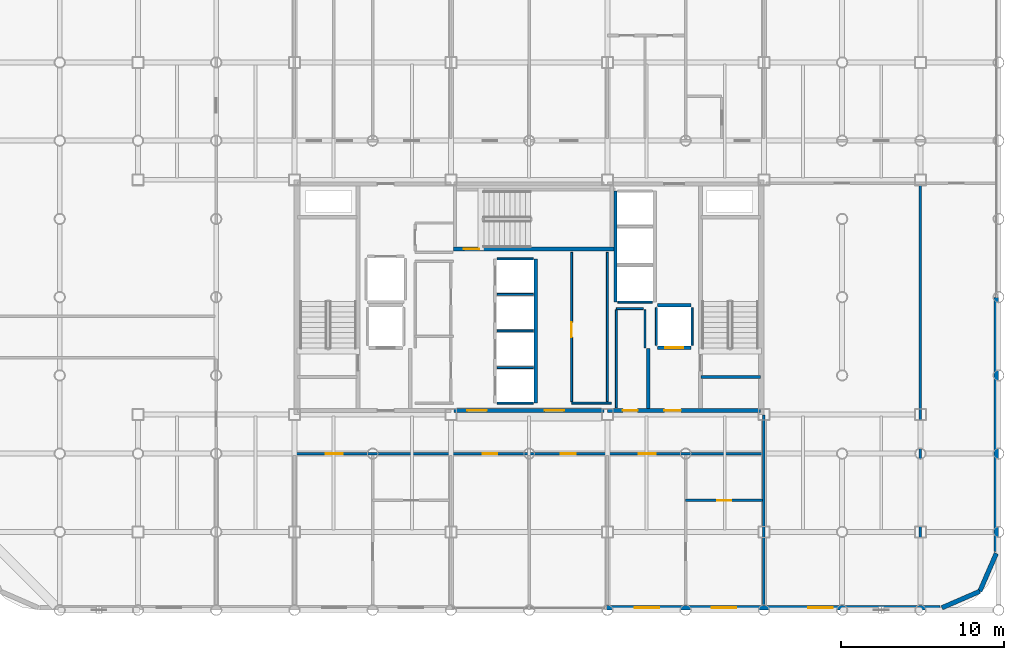
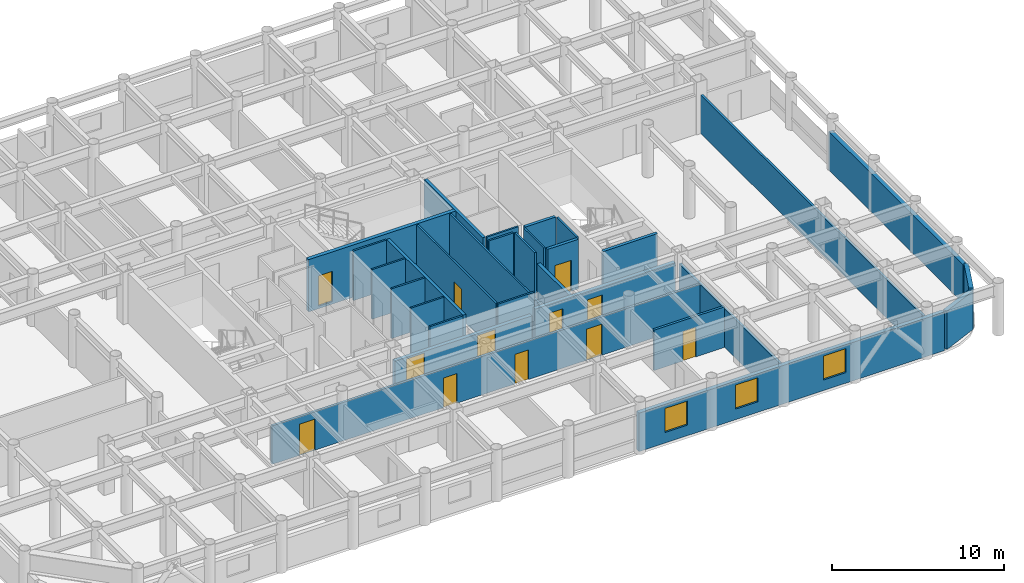
# One storey, part 17 of 20: 31 walls, 12 doors, 3 windows, 15 openings.
"""IFC4 building model written with IfcOpenShell, lengths in metres."""

from ifc_helpers import new_model, si_unit, direction, frame, frame_2d, origin, place, context, subcontext, project, spatial, rectangle, extrude, material, layer, layer_set, type_object, element, fill, save


model = new_model("IFC4")

# Units and contexts
model_context = context("Model", 3, precision=1e-05, world=origin(), true_north=direction((0.0, 1.0)))
body_context = subcontext(model_context, "Body", "Model", "MODEL_VIEW")
ifc_project = project(units=[si_unit("LENGTHUNIT", "METRE"), si_unit("AREAUNIT", "SQUARE_METRE"), si_unit("VOLUMEUNIT", "CUBIC_METRE"), si_unit("PLANEANGLEUNIT", "RADIAN"), si_unit("MASSUNIT", "GRAM", prefix="KILO")], contexts=[model_context])

# Site, building, storey
site_placement = place(None, origin())
site = spatial("IfcSite", under=ifc_project, at=site_placement, CompositionType="ELEMENT")
building_placement = place(site_placement, origin())
building = spatial("IfcBuilding", under=site, at=building_placement, Name="Kallvorn Hotel Tower", CompositionType="ELEMENT")
storey_placement = place(building_placement, frame((0.0, 0.0, 135.89990234375)))
storey = spatial("IfcBuildingStorey", under=building, at=storey_placement, Name="L33", CompositionType="ELEMENT", Elevation=135.89990234375)

# Wall, opening, door
ifc_material_1 = material(Name="Fire-rated double-layer acoustic gypsum drywall EI 60")
ifc_layer_1 = layer(ifc_material_1, 0.159912109375)
ifc_layer_set_1 = layer_set([ifc_layer_1], Name="WL_DEMISE_160")
wall_type_1 = type_object("IfcWallType", Name="WL_DEMISE_160", PredefinedType="PARTITIONING", material=ifc_layer_set_1)
wall_1_placement = place(storey_placement, frame((9.60009765625, -12.469970703125, 0.0), z_axis=(0.0, 0.0, 1.0), x_axis=(1.0, 0.0, 0.0)))
wall_1 = element("IfcWall", 1, at=wall_1_placement, inside=storey, type_object=wall_type_1, Name="L33 Suite 3302 Executive Bedroom Partition", PredefinedType="PARTITIONING", context=body_context, shape_type="SweptSolid", body=[
    extrude(rectangle(XDim=4.719970703125, YDim=0.159912109375, at=frame_2d((2.35986328125, 0.0))), origin(), (0.0, 0.0, 1.0), 2.8701171875),
])
opening_1_placement = place(wall_1_placement, frame((1.929931640625, 0.0, 0.0)))
opening_1 = element("IfcOpeningElement", 2, at=opening_1_placement, cuts=wall_1, Name="Opening BD-I", PredefinedType="OPENING", context=body_context, shape_type="SweptSolid", body=[
    extrude(rectangle(XDim=0.860107421875, YDim=2.10009765625, at=frame_2d((0.43017578125, 1.050048828125))), frame((0.0, 0.094970703125, 0.0), z_axis=(0.0, -1.0, 0.0), x_axis=(1.0, 0.0, 0.0)), (0.0, 0.0, 1.0), 0.18994140625),
])
ifc_material_2 = material(Name="Solid-core walnut veneer fire-rated timber door leaf", Category="wood")
door_type_1 = type_object("IfcDoorType", Name="DR_BATH_860x2100", OperationType="NOTDEFINED", PredefinedType="DOOR", material=ifc_material_2)
door_1_placement = place(opening_1_placement, origin())
door_1 = element("IfcDoor", 3, at=door_1_placement, inside=storey, type_object=door_type_1, Name="L33 Suite 3302 En-Suite Bathroom Door", OperationType="SINGLE_SWING_LEFT", OverallHeight=2.10009765625, OverallWidth=0.860107421875, PredefinedType="DOOR", context=body_context, shape_type="SweptSolid", body=[
    extrude(rectangle(XDim=0.860107421875, YDim=2.10009765625, at=frame_2d((0.43017578125, 1.050048828125))), frame((0.0, 0.02490234375, 0.0), z_axis=(0.0, -1.0, 0.0), x_axis=(1.0, 0.0, 0.0)), (0.0, 0.0, 1.0), 0.050048828125),
])
fill(opening_1, door_1)

# Wall, openings, doors
wall_2_placement = place(storey_placement, frame((-14.320068359375, -9.60009765625, 0.0), z_axis=(0.0, 0.0, 1.0), x_axis=(1.0, 0.0, 0.0)))
wall_2 = element("IfcWall", 4, at=wall_2_placement, inside=storey, type_object=wall_type_1, Name="L33 Suite 3301 Executive Living Salon Partition", PredefinedType="PARTITIONING", context=body_context, shape_type="SweptSolid", body=[
    extrude(rectangle(XDim=28.64013671875, YDim=0.159912109375, at=frame_2d((14.320068359375, 0.0))), origin(), (0.0, 0.0, 1.0), 2.72021484375),
])
opening_2_placement = place(wall_2_placement, frame((1.8349609375, 0.0, 0.0)))
opening_2 = element("IfcOpeningElement", 5, at=opening_2_placement, cuts=wall_2, Name="Opening GD2", PredefinedType="OPENING", context=body_context, shape_type="SweptSolid", body=[
    extrude(rectangle(XDim=1.050048828125, YDim=2.199951171875, at=frame_2d((0.52490234375, 1.10009765625))), frame((0.0, 0.094970703125, 0.0), z_axis=(0.0, -1.0, 0.0), x_axis=(1.0, 0.0, 0.0)), (0.0, 0.0, 1.0), 0.18994140625),
])
opening_3_placement = place(wall_2_placement, frame((11.469970703125, 0.0, 0.0)))
opening_3 = element("IfcOpeningElement", 6, at=opening_3_placement, cuts=wall_2, Name="Opening SVD1", PredefinedType="OPENING", context=body_context, shape_type="SweptSolid", body=[
    extrude(rectangle(XDim=0.89990234375, YDim=2.10009765625, at=frame_2d((0.449951171875, 1.050048828125))), frame((0.0, 0.094970703125, 0.0), z_axis=(0.0, -1.0, 0.0), x_axis=(1.0, 0.0, 0.0)), (0.0, 0.0, 1.0), 0.18994140625),
])
opening_4_placement = place(wall_2_placement, frame((16.27001953125, 0.0, 0.0)))
opening_4 = element("IfcOpeningElement", 7, at=opening_4_placement, cuts=wall_2, Name="Opening SVD1", PredefinedType="OPENING", context=body_context, shape_type="SweptSolid", body=[
    extrude(rectangle(XDim=0.89990234375, YDim=2.10009765625, at=frame_2d((0.449951171875, 1.050048828125))), frame((0.0, 0.094970703125, 0.0), z_axis=(0.0, -1.0, 0.0), x_axis=(1.0, 0.0, 0.0)), (0.0, 0.0, 1.0), 0.18994140625),
])
opening_5_placement = place(wall_2_placement, frame((21.034912109375, 0.0, 0.0)))
opening_5 = element("IfcOpeningElement", 8, at=opening_5_placement, cuts=wall_2, Name="Opening GD2", PredefinedType="OPENING", context=body_context, shape_type="SweptSolid", body=[
    extrude(rectangle(XDim=1.050048828125, YDim=2.199951171875, at=frame_2d((0.52490234375, 1.10009765625))), frame((0.0, 0.094970703125, 0.0), z_axis=(0.0, -1.0, 0.0), x_axis=(1.0, 0.0, 0.0)), (0.0, 0.0, 1.0), 0.18994140625),
])
ifc_material_3 = material(Name="Galvanised painted steel fire-rated door assembly", Category="steel")
door_type_2 = type_object("IfcDoorType", Name="DR_SERV_900x2100", OperationType="NOTDEFINED", PredefinedType="DOOR", material=ifc_material_3)
door_2_placement = place(opening_3_placement, origin())
door_2 = element("IfcDoor", 9, at=door_2_placement, inside=storey, type_object=door_type_2, Name="L33 L33 Executive Co-Working Open-Plan Office 2-1 Door", OperationType="SINGLE_SWING_LEFT", OverallHeight=2.10009765625, OverallWidth=0.89990234375, PredefinedType="DOOR", context=body_context, shape_type="SweptSolid", body=[
    extrude(rectangle(XDim=0.89990234375, YDim=2.10009765625, at=frame_2d((0.449951171875, 1.050048828125))), frame((0.0, 0.02490234375, 0.0), z_axis=(0.0, -1.0, 0.0), x_axis=(1.0, 0.0, 0.0)), (0.0, 0.0, 1.0), 0.050048828125),
])
fill(opening_3, door_2)
door_3_placement = place(opening_4_placement, origin())
door_3 = element("IfcDoor", 10, at=door_3_placement, inside=storey, type_object=door_type_2, Name="L33 L33 Executive Co-Working Open-Plan Office 2-2 Door", OperationType="SINGLE_SWING_RIGHT", OverallHeight=2.10009765625, OverallWidth=0.89990234375, PredefinedType="DOOR", context=body_context, shape_type="SweptSolid", body=[
    extrude(rectangle(XDim=0.89990234375, YDim=2.10009765625, at=frame_2d((0.449951171875, 1.050048828125))), frame((0.0, 0.02490234375, 0.0), z_axis=(0.0, -1.0, 0.0), x_axis=(1.0, 0.0, 0.0)), (0.0, 0.0, 1.0), 0.050048828125),
])
fill(opening_4, door_3)
ifc_material_4 = material(Name="Solid-core walnut veneer fire-rated timber door leaf", Category="wood")
door_type_3 = type_object("IfcDoorType", Name="DR_SUITE_1050x2200", OperationType="NOTDEFINED", PredefinedType="DOOR", material=ifc_material_4)
door_4_placement = place(opening_2_placement, origin())
door_4 = element("IfcDoor", 11, at=door_4_placement, inside=storey, type_object=door_type_3, Name="L33 Suite 3301 Executive Living Salon Door", OperationType="SINGLE_SWING_LEFT", OverallHeight=2.199951171875, OverallWidth=1.050048828125, PredefinedType="DOOR", context=body_context, shape_type="SweptSolid", body=[
    extrude(rectangle(XDim=1.050048828125, YDim=2.199951171875, at=frame_2d((0.52490234375, 1.10009765625))), frame((0.0, 0.02490234375, 0.0), z_axis=(0.0, -1.0, 0.0), x_axis=(1.0, 0.0, 0.0)), (0.0, 0.0, 1.0), 0.050048828125),
])
fill(opening_2, door_4)
door_5_placement = place(opening_5_placement, origin())
door_5 = element("IfcDoor", 12, at=door_5_placement, inside=storey, type_object=door_type_3, Name="L33 Suite 3302 Executive Living Salon Door", OperationType="SINGLE_SWING_RIGHT", OverallHeight=2.199951171875, OverallWidth=1.050048828125, PredefinedType="DOOR", context=body_context, shape_type="SweptSolid", body=[
    extrude(rectangle(XDim=1.050048828125, YDim=2.199951171875, at=frame_2d((0.52490234375, 1.10009765625))), frame((0.0, 0.02490234375, 0.0), z_axis=(0.0, -1.0, 0.0), x_axis=(1.0, 0.0, 0.0)), (0.0, 0.0, 1.0), 0.050048828125),
])
fill(opening_5, door_5)

# Walls
wall_3_placement = place(storey_placement, frame((14.39990234375, -18.909912109375, 0.0), z_axis=(0.0, 0.0, 1.0), x_axis=(0.0, 1.0, 0.0)))
element("IfcWall", 13, at=wall_3_placement, inside=storey, type_object=wall_type_1, Name="L33 Suite 3302 Executive Bedroom Partition", PredefinedType="PARTITIONING", context=body_context, shape_type="SweptSolid", body=[
    extrude(rectangle(XDim=11.669921875, YDim=0.159912109375, at=frame_2d((5.8349609375, 0.0))), origin(), (0.0, 0.0, 1.0), 2.72021484375),
])
ifc_material_5 = material(Name="Precast basalt-clad insulated concrete wall C40/50", Category="masonry")
ifc_layer_2 = layer(ifc_material_5, 0.280029296875)
ifc_layer_set_2 = layer_set([ifc_layer_2], Name="WL_EXT_LOGGIA_280")
wall_type_2 = type_object("IfcWallType", Name="WL_EXT_LOGGIA_280", PredefinedType="SOLIDWALL", material=ifc_layer_set_2)
wall_4_placement = place(storey_placement, frame((25.32080078125, -19.057861328125, 0.0), z_axis=(0.0, 0.0, 1.0), x_axis=(0.917060872934, 0.398747232384, 0.0)))
element("IfcWall", 14, at=wall_4_placement, inside=storey, type_object=wall_type_2, Name="L33 Rounded Corner Exterior Wall SE1", PredefinedType="SOLIDWALL", context=body_context, shape_type="SweptSolid", body=[
    extrude(rectangle(XDim=2.5361328125, YDim=0.280029296875, at=frame_2d((1.26806640625, 0.0))), origin(), (0.0, 0.0, 1.0), 2.72021484375),
])
wall_5_placement = place(storey_placement, frame((27.646484375, -18.046630859375, 0.0), z_axis=(0.0, 0.0, 1.0), x_axis=(0.398792985289, 0.917040977756, 0.0)))
element("IfcWall", 15, at=wall_5_placement, inside=storey, type_object=wall_type_2, Name="L33 Rounded Corner Exterior Wall SE2", PredefinedType="SOLIDWALL", context=body_context, shape_type="SweptSolid", body=[
    extrude(rectangle(XDim=2.536376953125, YDim=0.280029296875, at=frame_2d((1.26806640625, 0.0))), origin(), (0.0, 0.0, 1.0), 2.8701171875),
])

# Wall, openings, windows
wall_6_placement = place(storey_placement, frame((4.75, -19.06005859375, 0.0), z_axis=(0.0, 0.0, 1.0), x_axis=(1.0, 0.0, 0.0)))
wall_6 = element("IfcWall", 16, at=wall_6_placement, inside=storey, type_object=wall_type_2, Name="L33 Exterior Envelope Wall EW-L33-SE", PredefinedType="SOLIDWALL", context=body_context, shape_type="SweptSolid", body=[
    extrude(rectangle(XDim=20.449951171875, YDim=0.280029296875, at=frame_2d((10.22509765625, 0.0))), origin(), (0.0, 0.0, 1.0), 2.72021484375),
])
opening_6_placement = place(wall_6_placement, frame((12.360107421875, 0.0, 0.75)))
opening_6 = element("IfcOpeningElement", 17, at=opening_6_placement, cuts=wall_6, Name="Opening W05", PredefinedType="OPENING", context=body_context, shape_type="SweptSolid", body=[
    extrude(rectangle(XDim=1.5, YDim=1.699951171875, at=frame_2d((0.75, 0.85009765625))), frame((0.0, 0.155029296875, 0.0), z_axis=(0.0, -1.0, 0.0), x_axis=(1.0, 0.0, 0.0)), (0.0, 0.0, 1.0), 0.31005859375),
])
opening_7_placement = place(wall_6_placement, frame((1.739990234375, 0.0, 0.75)))
opening_7 = element("IfcOpeningElement", 18, at=opening_7_placement, cuts=wall_6, Name="Opening W05", PredefinedType="OPENING", context=body_context, shape_type="SweptSolid", body=[
    extrude(rectangle(XDim=1.5, YDim=1.699951171875, at=frame_2d((0.75, 0.85009765625))), frame((0.0, 0.155029296875, 0.0), z_axis=(0.0, -1.0, 0.0), x_axis=(1.0, 0.0, 0.0)), (0.0, 0.0, 1.0), 0.31005859375),
])
opening_8_placement = place(wall_6_placement, frame((6.4599609375, 0.0, 0.75)))
opening_8 = element("IfcOpeningElement", 19, at=opening_8_placement, cuts=wall_6, Name="Opening W05", PredefinedType="OPENING", context=body_context, shape_type="SweptSolid", body=[
    extrude(rectangle(XDim=1.5, YDim=1.699951171875, at=frame_2d((0.75, 0.85009765625))), frame((0.0, 0.155029296875, 0.0), z_axis=(0.0, -1.0, 0.0), x_axis=(1.0, 0.0, 0.0)), (0.0, 0.0, 1.0), 0.31005859375),
])
ifc_material_6 = material(Name="Double-glazed low-e solar-control dark glass", Category="glass")
window_type = type_object("IfcWindowType", Name="WN_HTL_1500x1700", PartitioningType="SINGLE_PANEL", PredefinedType="WINDOW", material=ifc_material_6)
window_1_placement = place(opening_6_placement, origin())
window_1 = element("IfcWindow", 20, at=window_1_placement, inside=storey, type_object=window_type, Name="L33 Guestroom Exterior Window 04", OverallHeight=1.699951171875, OverallWidth=1.5, PartitioningType="SINGLE_PANEL", PredefinedType="WINDOW", context=body_context, shape_type="SweptSolid", body=[
    extrude(rectangle(XDim=1.5, YDim=1.699951171875, at=frame_2d((0.75, 0.85009765625))), frame((0.0, 0.030029296875, 0.0), z_axis=(0.0, -1.0, 0.0), x_axis=(1.0, 0.0, 0.0)), (0.0, 0.0, 1.0), 0.06005859375),
])
fill(opening_6, window_1)
window_2_placement = place(opening_7_placement, origin())
window_2 = element("IfcWindow", 21, at=window_2_placement, inside=storey, type_object=window_type, Name="L33 Guestroom Exterior Window 07", OverallHeight=1.699951171875, OverallWidth=1.5, PartitioningType="SINGLE_PANEL", PredefinedType="WINDOW", context=body_context, shape_type="SweptSolid", body=[
    extrude(rectangle(XDim=1.5, YDim=1.699951171875, at=frame_2d((0.75, 0.85009765625))), frame((0.0, 0.030029296875, 0.0), z_axis=(0.0, -1.0, 0.0), x_axis=(1.0, 0.0, 0.0)), (0.0, 0.0, 1.0), 0.06005859375),
])
fill(opening_7, window_2)
window_3_placement = place(opening_8_placement, origin())
window_3 = element("IfcWindow", 22, at=window_3_placement, inside=storey, type_object=window_type, Name="L33 Guestroom Exterior Window 08", OverallHeight=1.699951171875, OverallWidth=1.5, PartitioningType="SINGLE_PANEL", PredefinedType="WINDOW", context=body_context, shape_type="SweptSolid", body=[
    extrude(rectangle(XDim=1.5, YDim=1.699951171875, at=frame_2d((0.75, 0.85009765625))), frame((0.0, 0.030029296875, 0.0), z_axis=(0.0, -1.0, 0.0), x_axis=(1.0, 0.0, 0.0)), (0.0, 0.0, 1.0), 0.06005859375),
])
fill(opening_8, window_3)

# Walls
wall_7_placement = place(storey_placement, frame((28.659912109375, -15.60009765625, 0.0), z_axis=(0.0, 0.0, 1.0), x_axis=(0.0, 1.0, 0.0)))
element("IfcWall", 23, at=wall_7_placement, inside=storey, type_object=wall_type_2, Name="L33 Exterior Envelope Wall EW-L33-ES", PredefinedType="SOLIDWALL", context=body_context, shape_type="SweptSolid", body=[
    extrude(rectangle(XDim=15.580078125, YDim=0.280029296875, at=frame_2d((7.7900390625, 0.0))), origin(), (0.0, 0.0, 1.0), 2.72021484375),
])
ifc_material_7 = material(Name="Concrete C40/50", Category="concrete")
ifc_layer_3 = layer(ifc_material_7, 0.219970703125)
ifc_layer_set_3 = layer_set([ifc_layer_3], Name="WL_FFL_220")
wall_type_3 = type_object("IfcWallType", Name="WL_FFL_220", PredefinedType="SOLIDWALL", material=ifc_layer_set_3)
wall_8_placement = place(storey_placement, frame((7.300048828125, -6.820068359375, 0.0), z_axis=(0.0, 0.0, 1.0), x_axis=(0.0, 1.0, 0.0)))
element("IfcWall", 24, at=wall_8_placement, inside=storey, type_object=wall_type_3, Name="L33 Firefighting Lobby East Divider Wall", PredefinedType="SOLIDWALL", context=body_context, shape_type="SweptSolid", body=[
    extrude(rectangle(XDim=3.670166015625, YDim=0.219970703125, at=frame_2d((1.8349609375, 0.0))), origin(), (0.0, 0.0, 1.0), 2.72021484375),
])
ifc_material_8 = material(Name="Concrete C40/50", Category="concrete")
ifc_layer_4 = layer(ifc_material_8, 0.199951171875)
ifc_layer_set_4 = layer_set([ifc_layer_4], Name="WL_HOIST_200")
wall_type_4 = type_object("IfcWallType", Name="WL_HOIST_200", PredefinedType="SOLIDWALL", material=ifc_layer_set_4)
wall_9_placement = place(storey_placement, frame((10.550048828125, -4.89990234375, -0.179931640625), z_axis=(0.0, 0.0, 1.0), x_axis=(1.0, 0.0, 0.0)))
element("IfcWall", 25, at=wall_9_placement, inside=storey, type_object=wall_type_4, Name="L33 Stair ST2 South Wall", PredefinedType="SOLIDWALL", context=body_context, shape_type="SweptSolid", body=[
    extrude(rectangle(XDim=3.64990234375, YDim=0.199951171875, at=frame_2d((1.824951171875, 0.0))), origin(), (0.0, 0.0, 1.0), 3.699951171875),
])
wall_10_placement = place(storey_placement, frame((0.39990234375, -6.5, 0.0), z_axis=(0.0, 0.0, 1.0), x_axis=(0.0, 1.0, 0.0)))
element("IfcWall", 26, at=wall_10_placement, inside=storey, type_object=wall_type_4, Name="L33 Lift Bank B2 Rear Shaft Wall", PredefinedType="SOLIDWALL", context=body_context, shape_type="SweptSolid", body=[
    extrude(rectangle(XDim=8.85009765625, YDim=0.199951171875, at=frame_2d((4.425048828125, 0.0))), origin(), (0.0, 0.0, 1.0), 3.52001953125),
])
wall_11_placement = place(storey_placement, frame((5.300048828125, -0.300048828125, 0.0), z_axis=(0.0, 0.0, 1.0), x_axis=(0.0, 1.0, 0.0)))
element("IfcWall", 27, at=wall_11_placement, inside=storey, type_object=wall_type_4, Name="L33 Lift Bank OBS Rear Shaft Wall", PredefinedType="SOLIDWALL", context=body_context, shape_type="SweptSolid", body=[
    extrude(rectangle(XDim=6.800048828125, YDim=0.199951171875, at=frame_2d((3.39990234375, 0.0))), origin(), (0.0, 0.0, 1.0), 3.52001953125),
])

# Wall, opening, door
wall_12_placement = place(storey_placement, frame((7.8798828125, -3.10009765625, 0.0), z_axis=(0.0, 0.0, 1.0), x_axis=(1.0, 0.0, 0.0)))
wall_12 = element("IfcWall", 28, at=wall_12_placement, inside=storey, type_object=wall_type_4, Name="L33 FL-2 Landing Wall", PredefinedType="SOLIDWALL", context=body_context, shape_type="SweptSolid", body=[
    extrude(rectangle(XDim=2.0400390625, YDim=0.199951171875, at=frame_2d((1.02001953125, 0.0))), origin(), (0.0, 0.0, 1.0), 3.52001953125),
])
opening_9_placement = place(wall_12_placement, frame((0.469970703125, 0.0, 0.0)))
opening_9 = element("IfcOpeningElement", 29, at=opening_9_placement, cuts=wall_12, Name="Opening LD-FL-2", PredefinedType="OPENING", context=body_context, shape_type="SweptSolid", body=[
    extrude(rectangle(XDim=1.10009765625, YDim=2.199951171875, at=frame_2d((0.550048828125, 1.10009765625))), frame((0.0, 0.114990234375, 0.0), z_axis=(0.0, -1.0, 0.0), x_axis=(1.0, 0.0, 0.0)), (0.0, 0.0, 1.0), 0.22998046875),
])
ifc_material_9 = material(Name="Brushed stainless-steel automatic sliding lift landing door", Category="steel")
door_type_4 = type_object("IfcDoorType", Name="LD_PASS_1100x2200", OperationType="SLIDING_TO_LEFT", PredefinedType="DOOR", material=ifc_material_9)
door_6_placement = place(opening_9_placement, origin())
door_6 = element("IfcDoor", 30, at=door_6_placement, inside=storey, type_object=door_type_4, Name="L33 Lift Landing Sliding Door LD-FL-2", OperationType="SLIDING_TO_LEFT", OverallHeight=2.199951171875, OverallWidth=1.10009765625, PredefinedType="DOOR", context=body_context, shape_type="SweptSolid", body=[
    extrude(rectangle(XDim=1.10009765625, YDim=2.199951171875, at=frame_2d((0.550048828125, 1.10009765625))), frame((0.0, 0.02490234375, 0.0), z_axis=(0.0, -1.0, 0.0), x_axis=(1.0, 0.0, 0.0)), (0.0, 0.0, 1.0), 0.050048828125),
])
fill(opening_9, door_6)

# Walls
wall_13_placement = place(storey_placement, frame((7.8798828125, -0.5, 0.0), z_axis=(0.0, 0.0, 1.0), x_axis=(1.0, 0.0, 0.0)))
element("IfcWall", 31, at=wall_13_placement, inside=storey, type_object=wall_type_4, Name="L33 FL-2 Rear Shaft Wall", PredefinedType="SOLIDWALL", context=body_context, shape_type="SweptSolid", body=[
    extrude(rectangle(XDim=2.0400390625, YDim=0.199951171875, at=frame_2d((1.02001953125, 0.0))), origin(), (0.0, 0.0, 1.0), 3.52001953125),
])
ifc_material_10 = material(Name="Fire-rated double-layer acoustic gypsum drywall EI 60")
ifc_layer_5 = layer(ifc_material_10, 0.1201171875)
ifc_layer_set_5 = layer_set([ifc_layer_5], Name="WL_INT_120")
wall_type_5 = type_object("IfcWallType", Name="WL_INT_120", PredefinedType="PARTITIONING", material=ifc_layer_set_5)
for number, where, z_axis, x_axis, name in (
    (32, (-1.9599609375, -6.5, 0.0), (0.0, 0.0, 1.0), (1.0, 0.0, 0.0), "L33 Lift Bank B2 South Closure Wall"),
    (33, (-1.9599609375, -4.324951171875, 0.0), (0.0, 0.0, 1.0), (1.0, 0.0, 0.0), "L33 PL-05 Hoistway Divider"),
    (34, (-1.9599609375, -2.074951171875, 0.0), (0.0, 0.0, 1.0), (1.0, 0.0, 0.0), "L33 PL-06 Hoistway Divider"),
    (35, (-1.9599609375, 0.175048828125, 0.0), (0.0, 0.0, 1.0), (1.0, 0.0, 0.0), "L33 PL-07 Hoistway Divider"),
    (36, (-1.9599609375, 2.35009765625, 0.0), (0.0, 0.0, 1.0), (1.0, 0.0, 0.0), "L33 PL-08 Hoistway Divider"),
):
    element("IfcWall", number, at=place(storey_placement, frame(where, z_axis=z_axis, x_axis=x_axis)), inside=storey, type_object=wall_type_5, Name=name, PredefinedType="PARTITIONING", context=body_context, shape_type="SweptSolid", body=[
        extrude(rectangle(XDim=2.219970703125, YDim=0.1201171875, at=frame_2d((1.10986328125, 0.0))), origin(), (0.0, 0.0, 1.0), 3.52001953125),
    ])
wall_14_placement = place(storey_placement, frame((5.43994140625, -0.300048828125, 0.0), z_axis=(0.0, 0.0, 1.0), x_axis=(1.0, 0.0, 0.0)))
element("IfcWall", 37, at=wall_14_placement, inside=storey, type_object=wall_type_5, Name="L33 Lift Bank OBS South Closure Wall", PredefinedType="PARTITIONING", context=body_context, shape_type="SweptSolid", body=[
    extrude(rectangle(XDim=2.1201171875, YDim=0.1201171875, at=frame_2d((1.06005859375, 0.0))), origin(), (0.0, 0.0, 1.0), 3.52001953125),
])
for number, where, z_axis, x_axis, name in (
    (38, (7.800048828125, -2.9599609375, 0.0), (0.0, 0.0, 1.0), (0.0, 1.0, 0.0), "L33 FL-2 West Shaft Wall"),
    (39, (10.0, -2.9599609375, 0.0), (0.0, 0.0, 1.0), (0.0, 1.0, 0.0), "L33 FL-2 East Shaft Wall"),
):
    element("IfcWall", number, at=place(storey_placement, frame(where, z_axis=z_axis, x_axis=x_axis)), inside=storey, type_object=wall_type_5, Name=name, PredefinedType="PARTITIONING", context=body_context, shape_type="SweptSolid", body=[
        extrude(rectangle(XDim=2.320068359375, YDim=0.1201171875, at=frame_2d((1.16015625, 0.0))), origin(), (0.0, 0.0, 1.0), 3.52001953125),
    ])
wall_15_placement = place(storey_placement, frame((2.60009765625, -6.5, 0.0), z_axis=(0.0, 0.0, 1.0), x_axis=(1.0, 0.0, 0.0)))
element("IfcWall", 40, at=wall_15_placement, inside=storey, type_object=wall_type_5, Name="L33 East Core Consolidated Linen and Supply Store Partition", PredefinedType="PARTITIONING", context=body_context, shape_type="SweptSolid", body=[
    extrude(rectangle(XDim=2.449951171875, YDim=0.1201171875, at=frame_2d((1.22509765625, 0.0))), origin(), (0.0, 0.0, 1.0), 3.52001953125),
])
wall_16_placement = place(storey_placement, frame((5.35009765625, -0.699951171875, 0.0), z_axis=(0.0, 0.0, 1.0), x_axis=(1.0, 0.0, 0.0)))
element("IfcWall", 41, at=wall_16_placement, inside=storey, type_object=wall_type_5, Name="L33 Core Utility and Meter Room Partition", PredefinedType="PARTITIONING", context=body_context, shape_type="SweptSolid", body=[
    extrude(rectangle(XDim=1.64990234375, YDim=0.1201171875, at=frame_2d((0.824951171875, 0.0))), origin(), (0.0, 0.0, 1.0), 3.52001953125),
])

# Wall, opening, door
wall_17_placement = place(storey_placement, frame((2.60009765625, -6.4150390625, 0.0), z_axis=(0.0, 0.0, 1.0), x_axis=(0.0, 1.0, 0.0)))
wall_17 = element("IfcWall", 42, at=wall_17_placement, inside=storey, type_object=wall_type_5, Name="L33 East Core Consolidated Linen and Supply Store Partition", PredefinedType="PARTITIONING", context=body_context, shape_type="SweptSolid", body=[
    extrude(rectangle(XDim=9.1650390625, YDim=0.1201171875, at=frame_2d((4.58251953125, 0.0))), origin(), (0.0, 0.0, 1.0), 3.52001953125),
])
opening_10_placement = place(wall_17_placement, frame((3.965087890625, 0.0, 0.0)))
opening_10 = element("IfcOpeningElement", 43, at=opening_10_placement, cuts=wall_17, Name="Opening SVD1", PredefinedType="OPENING", context=body_context, shape_type="SweptSolid", body=[
    extrude(rectangle(XDim=0.89990234375, YDim=2.10009765625, at=frame_2d((0.449951171875, 1.050048828125))), frame((0.0, 0.074951171875, 0.0), z_axis=(0.0, -1.0, 0.0), x_axis=(1.0, 0.0, 0.0)), (0.0, 0.0, 1.0), 0.150146484375),
])
door_7_placement = place(opening_10_placement, origin())
door_7 = element("IfcDoor", 44, at=door_7_placement, inside=storey, type_object=door_type_2, Name="L33 East Core Consolidated Linen and Supply Store Door", OperationType="SINGLE_SWING_LEFT", OverallHeight=2.10009765625, OverallWidth=0.89990234375, PredefinedType="DOOR", context=body_context, shape_type="SweptSolid", body=[
    extrude(rectangle(XDim=0.89990234375, YDim=2.10009765625, at=frame_2d((0.449951171875, 1.050048828125))), frame((0.0, 0.02490234375, 0.0), z_axis=(0.0, -1.0, 0.0), x_axis=(1.0, 0.0, 0.0)), (0.0, 0.0, 1.0), 0.050048828125),
])
fill(opening_10, door_7)

# Walls
wall_18_placement = place(storey_placement, frame((4.800048828125, -6.4150390625, 0.0), z_axis=(0.0, 0.0, 1.0), x_axis=(0.0, 1.0, 0.0)))
element("IfcWall", 45, at=wall_18_placement, inside=storey, type_object=wall_type_5, Name="L33 East Core Consolidated Linen and Supply Store Partition", PredefinedType="PARTITIONING", context=body_context, shape_type="SweptSolid", body=[
    extrude(rectangle(XDim=9.1650390625, YDim=0.1201171875, at=frame_2d((4.58251953125, 0.0))), origin(), (0.0, 0.0, 1.0), 3.52001953125),
])
wall_19_placement = place(storey_placement, frame((5.35009765625, -6.800048828125, 0.0), z_axis=(0.0, 0.0, 1.0), x_axis=(0.0, 1.0, 0.0)))
element("IfcWall", 46, at=wall_19_placement, inside=storey, type_object=wall_type_5, Name="L33 Core Utility and Meter Room Partition", PredefinedType="PARTITIONING", context=body_context, shape_type="SweptSolid", body=[
    extrude(rectangle(XDim=6.01513671875, YDim=0.1201171875, at=frame_2d((3.007568359375, 0.0))), origin(), (0.0, 0.0, 1.0), 2.72021484375),
])
wall_20_placement = place(storey_placement, frame((7.106689453125, -3.110107421875, 0.0), z_axis=(0.0, 0.0, 1.0), x_axis=(0.0, 1.0, 0.0)))
element("IfcWall", 47, at=wall_20_placement, inside=storey, type_object=wall_type_5, Name="L33 Core Utility and Meter Room Partition", PredefinedType="PARTITIONING", context=body_context, shape_type="SweptSolid", body=[
    extrude(rectangle(XDim=2.3251953125, YDim=0.1201171875, at=frame_2d((1.16259765625, 0.0))), origin(), (0.0, 0.0, 1.0), 3.52001953125),
])
ifc_material_11 = material(Name="Fire-rated double-layer acoustic gypsum drywall EI 60")
ifc_layer_6 = layer(ifc_material_11, 0.14990234375)
ifc_layer_set_6 = layer_set([ifc_layer_6], Name="WL_PART_150")
wall_type_6 = type_object("IfcWallType", Name="WL_PART_150", PredefinedType="PARTITIONING", material=ifc_layer_set_6)
wall_21_placement = place(storey_placement, frame((24.0, -18.909912109375, 0.0), z_axis=(0.0, 0.0, 1.0), x_axis=(0.0, 1.0, 0.0)))
element("IfcWall", 48, at=wall_21_placement, inside=storey, type_object=wall_type_6, Name="L33 L33 Far-East Design Boutique Partition", PredefinedType="PARTITIONING", context=body_context, shape_type="SweptSolid", body=[
    extrude(rectangle(XDim=25.804931640625, YDim=0.14990234375, at=frame_2d((12.90234375, 0.0))), origin(), (0.0, 0.0, 1.0), 2.72021484375),
])

# Wall, openings, doors
ifc_material_12 = material(Name="Concrete C40/50", Category="concrete")
ifc_layer_7 = layer(ifc_material_12, 0.25)
ifc_layer_set_7 = layer_set([ifc_layer_7], Name="WL_SHAFT_250")
wall_type_7 = type_object("IfcWallType", Name="WL_SHAFT_250", PredefinedType="SOLIDWALL", material=ifc_layer_set_7)
wall_22_placement = place(storey_placement, frame((-4.60009765625, -6.949951171875, 0.0), z_axis=(0.0, 0.0, 1.0), x_axis=(1.0, 0.0, 0.0)))
wall_22 = element("IfcWall", 49, at=wall_22_placement, inside=storey, type_object=wall_type_7, Name="L33 Core South-Central Wall", PredefinedType="SOLIDWALL", context=body_context, shape_type="SweptSolid", body=[
    extrude(rectangle(XDim=9.2001953125, YDim=0.25, at=frame_2d((4.60009765625, 0.0))), origin(), (0.0, 0.0, 1.0), 2.320068359375),
])
opening_11_placement = place(wall_22_placement, frame((0.800048828125, 0.0, 0.0)))
opening_11 = element("IfcOpeningElement", 50, at=opening_11_placement, cuts=wall_22, Name="Opening FD2", PredefinedType="OPENING", context=body_context, shape_type="SweptSolid", body=[
    extrude(rectangle(XDim=1.199951171875, YDim=2.199951171875, at=frame_2d((0.60009765625, 1.10009765625))), frame((0.0, 0.139892578125, 0.0), z_axis=(0.0, -1.0, 0.0), x_axis=(1.0, 0.0, 0.0)), (0.0, 0.0, 1.0), 0.280029296875),
])
opening_12_placement = place(wall_22_placement, frame((5.550048828125, 0.0, 0.0)))
opening_12 = element("IfcOpeningElement", 51, at=opening_12_placement, cuts=wall_22, Name="Opening FD2", PredefinedType="OPENING", context=body_context, shape_type="SweptSolid", body=[
    extrude(rectangle(XDim=1.199951171875, YDim=2.199951171875, at=frame_2d((0.60009765625, 1.10009765625))), frame((0.0, 0.139892578125, 0.0), z_axis=(0.0, -1.0, 0.0), x_axis=(1.0, 0.0, 0.0)), (0.0, 0.0, 1.0), 0.280029296875),
])
ifc_material_13 = material(Name="Galvanised painted steel fire-rated door assembly", Category="steel")
door_type_5 = type_object("IfcDoorType", Name="DR_LOBBY_1200x2200", OperationType="DOUBLE_DOOR_SINGLE_SWING", PredefinedType="DOOR", material=ifc_material_13)
door_8_placement = place(opening_11_placement, origin())
door_8 = element("IfcDoor", 52, at=door_8_placement, inside=storey, type_object=door_type_5, Name="L33 West Passenger Lift Lobby Door", OperationType="DOUBLE_DOOR_SINGLE_SWING", OverallHeight=2.199951171875, OverallWidth=1.199951171875, PredefinedType="DOOR", context=body_context, shape_type="SweptSolid", body=[
    extrude(rectangle(XDim=1.199951171875, YDim=2.199951171875, at=frame_2d((0.60009765625, 1.10009765625))), frame((0.0, 0.02490234375, 0.0), z_axis=(0.0, -1.0, 0.0), x_axis=(1.0, 0.0, 0.0)), (0.0, 0.0, 1.0), 0.050048828125),
])
fill(opening_11, door_8)
door_9_placement = place(opening_12_placement, origin())
door_9 = element("IfcDoor", 53, at=door_9_placement, inside=storey, type_object=door_type_5, Name="L33 East Passenger Lift Lobby Door", OperationType="DOUBLE_DOOR_SINGLE_SWING", OverallHeight=2.199951171875, OverallWidth=1.199951171875, PredefinedType="DOOR", context=body_context, shape_type="SweptSolid", body=[
    extrude(rectangle(XDim=1.199951171875, YDim=2.199951171875, at=frame_2d((0.60009765625, 1.10009765625))), frame((0.0, 0.02490234375, 0.0), z_axis=(0.0, -1.0, 0.0), x_axis=(1.0, 0.0, 0.0)), (0.0, 0.0, 1.0), 0.050048828125),
])
fill(opening_12, door_9)

wall_23_placement = place(storey_placement, frame((4.800048828125, -6.949951171875, 0.0), z_axis=(0.0, 0.0, 1.0), x_axis=(1.0, 0.0, 0.0)))
wall_23 = element("IfcWall", 54, at=wall_23_placement, inside=storey, type_object=wall_type_7, Name="L33 Core South-East Wall", PredefinedType="SOLIDWALL", context=body_context, shape_type="SweptSolid", body=[
    extrude(rectangle(XDim=9.39990234375, YDim=0.25, at=frame_2d((4.699951171875, 0.0))), origin(), (0.0, 0.0, 1.0), 2.72021484375),
])
opening_13_placement = place(wall_23_placement, frame((3.5, 0.0, 0.0)))
opening_13 = element("IfcOpeningElement", 55, at=opening_13_placement, cuts=wall_23, Name="Opening FD1", PredefinedType="OPENING", context=body_context, shape_type="SweptSolid", body=[
    extrude(rectangle(XDim=1.0, YDim=2.14990234375, at=frame_2d((0.5, 1.074951171875))), frame((0.0, 0.139892578125, 0.0), z_axis=(0.0, -1.0, 0.0), x_axis=(1.0, 0.0, 0.0)), (0.0, 0.0, 1.0), 0.280029296875),
])
opening_14_placement = place(wall_23_placement, frame((0.949951171875, 0.0, 0.0)))
opening_14 = element("IfcOpeningElement", 56, at=opening_14_placement, cuts=wall_23, Name="Opening SVD1", PredefinedType="OPENING", context=body_context, shape_type="SweptSolid", body=[
    extrude(rectangle(XDim=0.89990234375, YDim=2.10009765625, at=frame_2d((0.449951171875, 1.050048828125))), frame((0.0, 0.139892578125, 0.0), z_axis=(0.0, -1.0, 0.0), x_axis=(1.0, 0.0, 0.0)), (0.0, 0.0, 1.0), 0.280029296875),
])
ifc_material_14 = material(Name="Galvanised painted steel fire-rated door assembly", Category="steel")
door_type_6 = type_object("IfcDoorType", Name="DR_FFL_1000x2150", OperationType="NOTDEFINED", PredefinedType="DOOR", material=ifc_material_14)
door_10_placement = place(opening_13_placement, origin())
door_10 = element("IfcDoor", 57, at=door_10_placement, inside=storey, type_object=door_type_6, Name="L33 Firefighting Lobby East Door", OperationType="SINGLE_SWING_LEFT", OverallHeight=2.14990234375, OverallWidth=1.0, PredefinedType="DOOR", context=body_context, shape_type="SweptSolid", body=[
    extrude(rectangle(XDim=1.0, YDim=2.14990234375, at=frame_2d((0.5, 1.074951171875))), frame((0.0, 0.02490234375, 0.0), z_axis=(0.0, -1.0, 0.0), x_axis=(1.0, 0.0, 0.0)), (0.0, 0.0, 1.0), 0.050048828125),
])
fill(opening_13, door_10)
door_11_placement = place(opening_14_placement, origin())
door_11 = element("IfcDoor", 58, at=door_11_placement, inside=storey, type_object=door_type_2, Name="L33 Core Utility and Meter Room Door", OperationType="SINGLE_SWING_RIGHT", OverallHeight=2.10009765625, OverallWidth=0.89990234375, PredefinedType="DOOR", context=body_context, shape_type="SweptSolid", body=[
    extrude(rectangle(XDim=0.89990234375, YDim=2.10009765625, at=frame_2d((0.449951171875, 1.050048828125))), frame((0.0, 0.02490234375, 0.0), z_axis=(0.0, -1.0, 0.0), x_axis=(1.0, 0.0, 0.0)), (0.0, 0.0, 1.0), 0.050048828125),
])
fill(opening_14, door_11)

# Wall, opening, door
wall_24_placement = place(storey_placement, frame((-4.64990234375, 2.949951171875, -0.179931640625), z_axis=(0.0, 0.0, 1.0), x_axis=(1.0, 0.0, 0.0)))
wall_24 = element("IfcWall", 59, at=wall_24_placement, inside=storey, type_object=wall_type_7, Name="L33 Stair ST3 Shaft South Wall", PredefinedType="SOLIDWALL", context=body_context, shape_type="SweptSolid", body=[
    extrude(rectangle(XDim=9.89990234375, YDim=0.25, at=frame_2d((4.949951171875, 0.0))), origin(), (0.0, 0.0, 1.0), 3.699951171875),
])
opening_15_placement = place(wall_24_placement, frame((0.64990234375, 0.0, 0.179931640625)))
opening_15 = element("IfcOpeningElement", 60, at=opening_15_placement, cuts=wall_24, Name="Opening SD1", PredefinedType="OPENING", context=body_context, shape_type="SweptSolid", body=[
    extrude(rectangle(XDim=0.949951171875, YDim=2.14990234375, at=frame_2d((0.47509765625, 1.074951171875))), frame((0.0, 0.139892578125, 0.0), z_axis=(0.0, -1.0, 0.0), x_axis=(1.0, 0.0, 0.0)), (0.0, 0.0, 1.0), 0.280029296875),
])
ifc_material_15 = material(Name="Galvanised painted steel fire-rated door assembly", Category="steel")
door_type_7 = type_object("IfcDoorType", Name="DR_STAIR_950x2150", OperationType="NOTDEFINED", PredefinedType="DOOR", material=ifc_material_15)
door_12_placement = place(opening_15_placement, origin())
door_12 = element("IfcDoor", 61, at=door_12_placement, inside=storey, type_object=door_type_7, Name="L33 Exit Stair ST3 Fire Door", OperationType="SINGLE_SWING_LEFT", OverallHeight=2.14990234375, OverallWidth=0.949951171875, PredefinedType="DOOR", context=body_context, shape_type="SweptSolid", body=[
    extrude(rectangle(XDim=0.949951171875, YDim=2.14990234375, at=frame_2d((0.47509765625, 1.074951171875))), frame((0.0, 0.02490234375, 0.0), z_axis=(0.0, -1.0, 0.0), x_axis=(1.0, 0.0, 0.0)), (0.0, 0.0, 1.0), 0.050048828125),
])
fill(opening_15, door_12)

save(model, "model.ifc")
